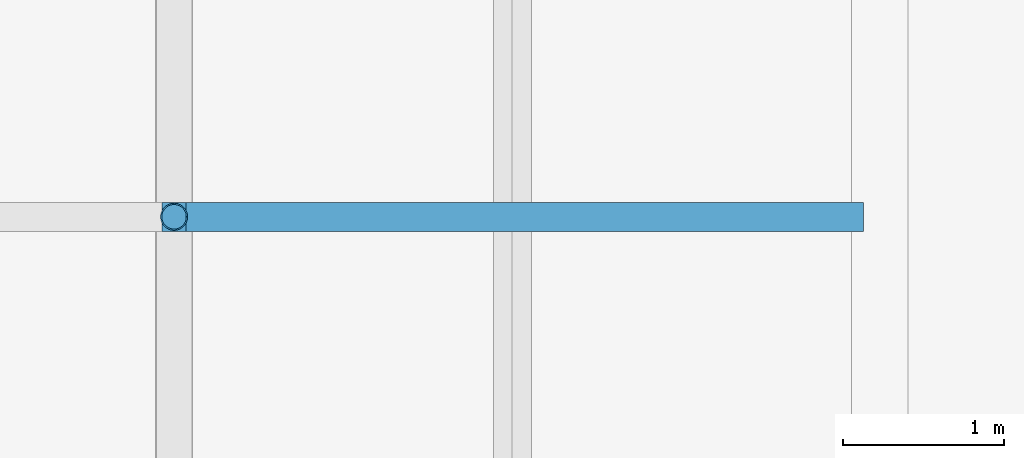
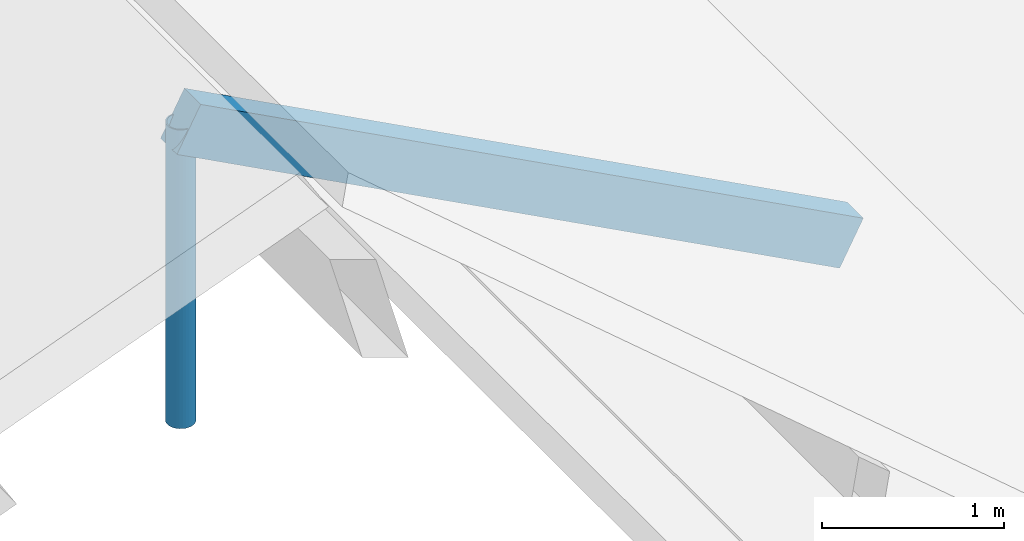
# One storey, part 30 of 82: 2 members.
"""IFC4 building model written with IfcOpenShell, lengths in metres."""

from ifc_helpers import new_model, si_unit, direction, frame, origin, origin_2d, place, context, subcontext, project, spatial, rectangle, hollow_circle, extrude, material, material_profile, profile_set, type_object, element, save


model = new_model("IFC4")

# Units and contexts
model_context = context("Model", 3, precision=1e-05, world=origin(), true_north=direction((0.0, 1.0)))
body_context = subcontext(model_context, "Body", "Model", "MODEL_VIEW")
ifc_project = project(units=[si_unit("LENGTHUNIT", "METRE"), si_unit("AREAUNIT", "SQUARE_METRE"), si_unit("VOLUMEUNIT", "CUBIC_METRE"), si_unit("PLANEANGLEUNIT", "RADIAN"), si_unit("MASSUNIT", "GRAM", prefix="KILO")], contexts=[model_context])

# Site, building, storey
site_placement = place(None, origin())
site = spatial("IfcSite", under=ifc_project, at=site_placement, CompositionType="ELEMENT")
building_placement = place(site_placement, origin())
building = spatial("IfcBuilding", under=site, at=building_placement, Name="Bramfleet General Hospital", CompositionType="ELEMENT")
storey_placement = place(building_placement, frame((0.0, 0.0, 34.199951171875)))
storey = spatial("IfcBuildingStorey", under=building, at=storey_placement, Name="Roof", CompositionType="ELEMENT", Elevation=34.199951171875)

# Members
ifc_material_1 = material(Name="Structural timber GL28h", Category="wood")
ifc_material_profile_1 = material_profile(ifc_material_1, rectangle(XDim=0.179931640625, YDim=0.320068359375, at=origin_2d()), Name="GL28h 320x180")
ifc_profile_set_1 = profile_set([ifc_material_profile_1], Name="Structural timber GL28h")
member_type_1 = type_object("IfcMemberType", Name="MEM-RF-GL320", PredefinedType="RAFTER", material=ifc_profile_set_1)
member_1_placement = place(storey_placement, frame((130.199951171875, 8.39990234375, 1.561279296875), z_axis=(0.882947536541, 0.0, -0.469471668705), x_axis=(0.0, 1.0, 0.0)))
element("IfcMember", 1, at=member_1_placement, inside=storey, type_object=member_type_1, Name="Patient House PH-08 East Glulam Rafter 1", PredefinedType="RAFTER", context=body_context, shape_type="SweptSolid", body=[
    extrude(rectangle(XDim=0.179931640625, YDim=0.320068359375, at=origin_2d()), origin(), (0.0, 0.0, 1.0), 4.7568359375),
])
ifc_material_2 = material(Name="Steel S355", Category="steel")
ifc_material_profile_2 = material_profile(ifc_material_2, hollow_circle(Radius=0.084228515625, WallThickness=0.008056640625, at=origin_2d()), Name="CHS 168.3x8.0")
ifc_profile_set_2 = profile_set([ifc_material_profile_2], Name="Steel S355")
member_type_2 = type_object("IfcMemberType", Name="MEM-SF-DG1", PredefinedType="STRUT", material=ifc_profile_set_2)
member_2_placement = place(storey_placement, frame((130.199951171875, 8.39990234375, -0.43994140625), z_axis=(0.0, 0.0, 1.0), x_axis=(1.0, 0.0, 0.0)))
element("IfcMember", 2, at=member_2_placement, inside=storey, type_object=member_type_2, Name="Patient House PH-08 Ridge Timber Post 1", PredefinedType="STRUT", context=body_context, shape_type="SweptSolid", body=[
    extrude(hollow_circle(Radius=0.084228515625, WallThickness=0.008056640625, at=origin_2d()), origin(), (0.0, 0.0, 1.0), 2.001220703125),
])

save(model, "model.ifc")
